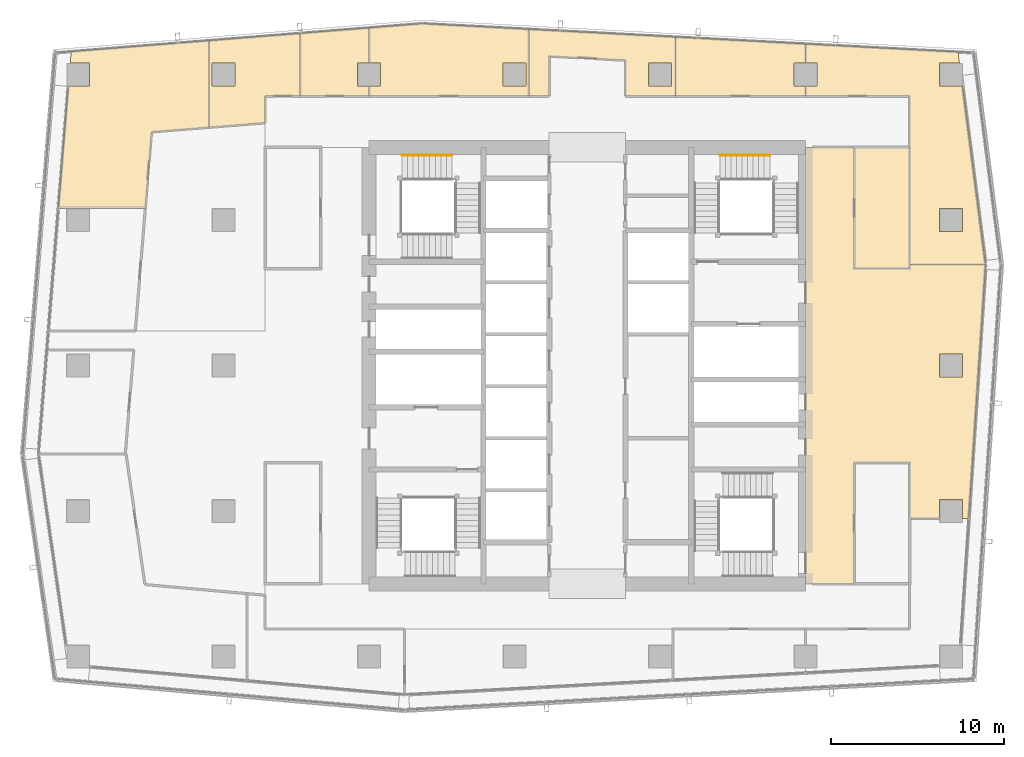
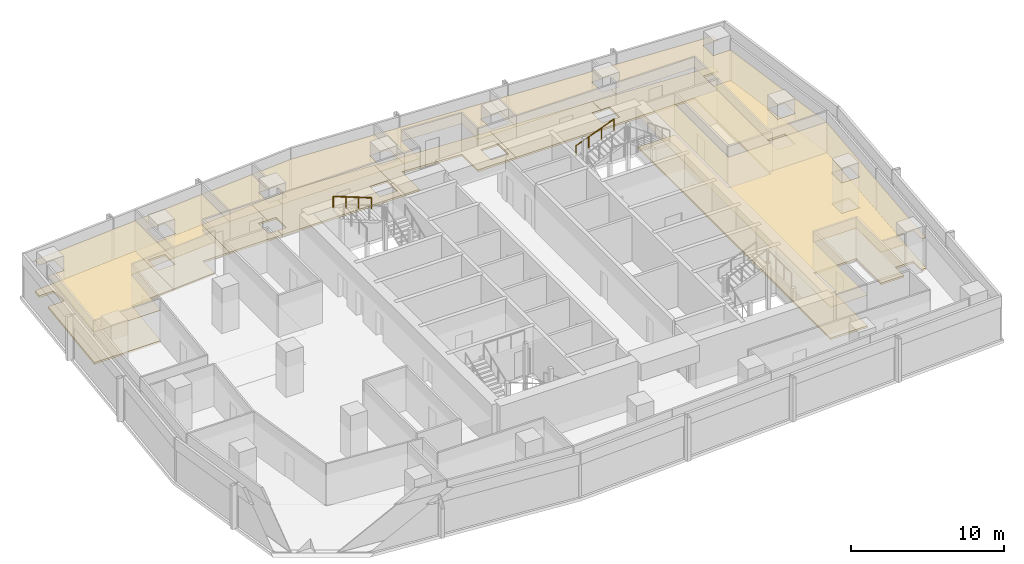
# One storey, part 29 of 29: 17 coverings, 2 railings.
"""IFC4 building model written with IfcOpenShell, lengths in metres."""

import ifcopenshell
import ifcopenshell.guid

model = None  # the IFC model being written
_history = None  # IfcOwnerHistory: only IFC2X3 demands one
_inside = {}  # id of a spatial element -> (the spatial element, [elements in it])
_under = {}  # id of a project, library or spatial element -> (it, [spatial elements below it])
_declared = {}  # id of a project -> (the project, [libraries it declares])
_typed = {}  # id of a type object -> (the type object, [elements of that type])
_made_of = {}  # id of a material, layer set ... -> (it, [elements and type objects made of it])


def new_model(schema):
    """Start an empty IFC model of exactly this schema.

    Asked for "IFC4X3", IfcOpenShell would pick the latest addendum, in which some entities
    have other attributes; the version numbers below select the first issue.
    IFC2X3 requires an IfcOwnerHistory on every rooted entity: one is made here for all.
    """
    global model, _history
    if schema == "IFC4X3":
        model = ifcopenshell.file(schema_version=(4, 3, 0, 0))
    else:
        model = ifcopenshell.file(schema=schema)
    _inside.clear()
    _under.clear()
    _declared.clear()
    _typed.clear()
    _made_of.clear()
    _history = None
    if model.schema == "IFC2X3":
        org = make("IfcOrganization", Name="unknown")
        user = make(
            "IfcPersonAndOrganization",
            ThePerson=make("IfcPerson", FamilyName="unknown"),
            TheOrganization=org,
        )
        app = make(
            "IfcApplication",
            ApplicationDeveloper=org,
            Version="unknown",
            ApplicationFullName="unknown",
            ApplicationIdentifier="unknown",
        )
        _history = make(
            "IfcOwnerHistory",
            OwningUser=user,
            OwningApplication=app,
            ChangeAction="ADDED",
            CreationDate=0,
        )
    return model


def make(cls, **values):
    """One entity of the class cls with the attributes given. An attribute that is None is left unset."""
    return model.create_entity(
        cls, **{name: value for name, value in values.items() if value is not None}
    )


def rooted(cls, **values):
    """An entity with a GlobalId (a new one), such as an element, a storey or a relation."""
    return make(cls, GlobalId=ifcopenshell.guid.new(), OwnerHistory=_history, **values)


def si_unit(unit_type, name, prefix=None):
    """IfcSIUnit, for example si_unit("LENGTHUNIT", "METRE", prefix="MILLI")."""
    return make("IfcSIUnit", UnitType=unit_type, Prefix=prefix, Name=name)


def assignment(units):
    """IfcUnitAssignment: the units of a project."""
    return None if units is None else make("IfcUnitAssignment", Units=units)


def point(xyz):
    """IfcCartesianPoint."""
    return None if xyz is None else make("IfcCartesianPoint", Coordinates=xyz)


def direction(xyz):
    """IfcDirection."""
    return None if xyz is None else make("IfcDirection", DirectionRatios=xyz)


def frame(location, z_axis=None, x_axis=None):
    """IfcAxis2Placement3D, a coordinate frame: its origin and axes. An axis left out is left unset."""
    return make(
        "IfcAxis2Placement3D",
        Location=point(location),
        Axis=direction(z_axis),
        RefDirection=direction(x_axis),
    )


def frame_2d(location, x_axis=None):
    """IfcAxis2Placement2D, a coordinate frame in the plane: its origin and x axis."""
    return make(
        "IfcAxis2Placement2D", Location=point(location), RefDirection=direction(x_axis)
    )


def origin():
    """The frame at (0, 0, 0) with its axes left unset."""
    return frame((0.0, 0.0, 0.0))


def origin_2d():
    """The frame at (0, 0) in the plane with its x axis left unset."""
    return frame_2d((0.0, 0.0))


def place(relative_to, where):
    """IfcLocalPlacement: puts the frame where relative to a parent placement (None: the world)."""
    return make(
        "IfcLocalPlacement", PlacementRelTo=relative_to, RelativePlacement=where
    )


def context(
    kind, dimensions, precision=None, world=None, true_north=None, identifier=None
):
    """IfcGeometricRepresentationContext, for example the 3D "Model" context."""
    return make(
        "IfcGeometricRepresentationContext",
        ContextIdentifier=identifier,
        ContextType=kind,
        CoordinateSpaceDimension=dimensions,
        Precision=precision,
        WorldCoordinateSystem=world,
        TrueNorth=true_north,
    )


def subcontext(parent, identifier, kind, view, scale=None):
    """IfcGeometricRepresentationSubContext, for example "Body" below "Model"."""
    return make(
        "IfcGeometricRepresentationSubContext",
        ContextIdentifier=identifier,
        ContextType=kind,
        ParentContext=parent,
        TargetScale=scale,
        TargetView=view,
    )


def project(units=None, contexts=None):
    """IfcProject with its units and contexts."""
    return rooted(
        "IfcProject",
        Name="project",
        RepresentationContexts=contexts,
        UnitsInContext=assignment(units),
    )


def spatial(cls, under=None, at=None, **own):
    """A site, building, storey or space (cls), placed at a placement, below another one or the project."""
    s = rooted(cls, ObjectPlacement=at, **own)
    if under is not None:
        _under.setdefault(under.id(), (under, []))[1].append(s)
    return s


def polyline(points):
    """IfcPolyline through the points."""
    return make("IfcPolyline", Points=[point(p) for p in points])


def profile(cls, at=None, kind="AREA", **sizes):
    """A parametric profile (cls). Its sizes go by their IFC names, for example OverallWidth=200.0."""
    return make(cls, ProfileType=kind, Position=at, **sizes)


def circle(**sizes):
    """IfcCircleProfileDef."""
    return profile("IfcCircleProfileDef", **sizes)


def outline(outer, holes=None, kind="AREA"):
    """IfcArbitraryClosedProfileDef: a profile drawn as a closed curve; with holes, ...WithVoids."""
    if holes is None:
        return make("IfcArbitraryClosedProfileDef", ProfileType=kind, OuterCurve=outer)
    return make(
        "IfcArbitraryProfileDefWithVoids",
        ProfileType=kind,
        OuterCurve=outer,
        InnerCurves=holes,
    )


def extrude(swept, where, along, depth):
    """IfcExtrudedAreaSolid: the profile swept, set in the frame where, extruded along a direction by depth."""
    return make(
        "IfcExtrudedAreaSolid",
        SweptArea=swept,
        Position=where,
        ExtrudedDirection=direction(along),
        Depth=depth,
    )


def shape(context_of_items, identifier, shape_type, items):
    """IfcShapeRepresentation: the items that make up one representation, for example the "Body"."""
    return make(
        "IfcShapeRepresentation",
        ContextOfItems=context_of_items,
        RepresentationIdentifier=identifier,
        RepresentationType=shape_type,
        Items=items,
    )


def material(Name=None, Category=None):
    """IfcMaterial."""
    return make("IfcMaterial", Name=Name, Category=Category)


def layer(
    of_material, thickness, ventilated=None, Name=None, Category=None, Priority=None
):
    """IfcMaterialLayer: one layer of a wall or slab, of a material (None: an air gap)."""
    return make(
        "IfcMaterialLayer",
        Material=of_material,
        LayerThickness=thickness,
        IsVentilated=ventilated,
        Name=Name,
        Category=Category,
        Priority=Priority,
    )


def layer_set(layers, Name=None):
    """IfcMaterialLayerSet."""
    return make("IfcMaterialLayerSet", MaterialLayers=layers, LayerSetName=Name)


def made_of(thing, what):
    """Note that an element or type object is made of a material, layer set ...; save() writes the relation."""
    if what is not None:
        _made_of.setdefault(what.id(), (what, []))[1].append(thing)
    return thing


def type_object(cls, material=None, **own):
    """A type object (cls), such as IfcWallType, which elements share."""
    return made_of(rooted(cls, **own), material)


def element(
    cls,
    number,
    at=None,
    inside=None,
    cuts=None,
    type_object=None,
    material=None,
    context=None,
    identifier="Body",
    shape_type=None,
    held_by="IfcProductDefinitionShape",
    body=None,
    shapes=None,
    **own,
):
    """One element of the class cls, such as IfcWall. Its Tag is "e" and its number.

    at: its placement. inside: the storey or other place that contains it. cuts: it is an
    opening in that element (IfcRelVoidsElement). A single representation is given by context,
    identifier, shape_type and body (its items); several are given by shapes. held_by: the class
    of the entity that holds the representations. save() writes the other relations.
    """
    e = rooted(cls, Tag="e%d" % number, ObjectPlacement=at, **own)
    if body is not None:
        shapes = [shape(context, identifier, shape_type, body)]
    if shapes is not None:
        e.Representation = make(held_by, Representations=shapes)
    if inside is not None:
        _inside.setdefault(inside.id(), (inside, []))[1].append(e)
    if cuts is not None:
        rooted(
            "IfcRelVoidsElement", RelatingBuildingElement=cuts, RelatedOpeningElement=e
        )
    if type_object is not None:
        _typed.setdefault(type_object.id(), (type_object, []))[1].append(e)
    return made_of(e, material)


def aggregate(whole, parts):
    """IfcRelAggregates: a whole, such as a stair, and the parts it consists of."""
    return rooted("IfcRelAggregates", RelatingObject=whole, RelatedObjects=parts)


def save(model, path):
    """Write the relations noted so far, then the file.

    IfcRelAggregates (storeys below a building ...), IfcRelContainedInSpatialStructure (elements
    in a storey), IfcRelDefinesByType, IfcRelAssociatesMaterial and IfcRelDeclares: one each for
    every whole, place, type object, material and project.
    """
    for whole, parts in _under.values():
        aggregate(whole, parts)
    for where, things in _inside.values():
        rooted(
            "IfcRelContainedInSpatialStructure",
            RelatedElements=things,
            RelatingStructure=where,
        )
    for kind, things in _typed.values():
        rooted("IfcRelDefinesByType", RelatedObjects=things, RelatingType=kind)
    for what, things in _made_of.values():
        rooted("IfcRelAssociatesMaterial", RelatedObjects=things, RelatingMaterial=what)
    for by, libraries in _declared.values():
        rooted("IfcRelDeclares", RelatingContext=by, RelatedDefinitions=libraries)
    model.write(path)


model = new_model("IFC4")

# Units and contexts
model_context = context("Model", 3, precision=1e-05, world=origin(), true_north=direction((0.0, 1.0)))
body_context = subcontext(model_context, "Body", "Model", "MODEL_VIEW")
ifc_project = project(units=[si_unit("LENGTHUNIT", "METRE"), si_unit("AREAUNIT", "SQUARE_METRE"), si_unit("VOLUMEUNIT", "CUBIC_METRE"), si_unit("PLANEANGLEUNIT", "RADIAN"), si_unit("MASSUNIT", "GRAM", prefix="KILO")], contexts=[model_context])

# Site, building, storey
site_placement = place(None, origin())
site = spatial("IfcSite", under=ifc_project, at=site_placement, CompositionType="ELEMENT")
building_placement = place(site_placement, origin())
building = spatial("IfcBuilding", under=site, at=building_placement, Name="Rekha Terrace Tower", CompositionType="ELEMENT")
storey_placement = place(building_placement, frame((0.0, 0.0, 257.60009765625)))
storey = spatial("IfcBuildingStorey", under=building, at=storey_placement, Name="L65", CompositionType="ELEMENT", Elevation=257.60009765625)

# Coverings
ifc_material_1 = material(Name="Mineral fibre tile in exposed grid", Category="finish")
ifc_layer_1 = layer(ifc_material_1, 0.02001953125)
ifc_layer_set_1 = layer_set([ifc_layer_1], Name="Mineral fibre tile in exposed grid")
covering_type_1 = type_object("IfcCoveringType", Name="CL1 600x1200 office grid ceiling", PredefinedType="CEILING", material=ifc_layer_set_1)
covering_1_placement = place(storey_placement, frame((0.0, 0.0, 2.579833984375)))
element("IfcCovering", 1, at=covering_1_placement, inside=storey, type_object=covering_type_1, Name="Ceiling L65-05", PredefinedType="CEILING", context=body_context, shape_type="SweptSolid", body=[
    extrude(outline(polyline([(59.465087890625, 25.864990234375), (59.465087890625, 24.787109375), (59.81494140625, 24.787109375), (60.300048828125, 32.095947265625), (60.300048828125, 32.096923828125), (60.787109375, 39.43896484375), (56.39990234375, 39.43896484375), (56.39990234375, 39.199951171875), (53.199951171875, 39.199951171875), (53.199951171875, 46.199951171875), (50.39990234375, 46.199951171875), (50.39990234375, 21.0), (53.199951171875, 21.0), (53.199951171875, 28.0), (56.39990234375, 28.0), (56.39990234375, 24.787109375), (58.135009765625, 24.787109375), (58.135009765625, 25.864990234375), (59.465087890625, 25.864990234375)]), holes=[polyline([(59.465087890625, 34.264892578125), (59.465087890625, 32.93505859375), (58.135009765625, 32.93505859375), (58.135009765625, 34.264892578125), (59.465087890625, 34.264892578125)])]), origin(), (0.0, 0.0, 1.0), 0.02001953125),
])
covering_2_placement = place(storey_placement, frame((0.0, 0.0, 2.579833984375)))
element("IfcCovering", 2, at=covering_2_placement, inside=storey, type_object=covering_type_1, Name="Ceiling L65-06", PredefinedType="CEILING", context=body_context, shape_type="SweptSolid", body=[
    extrude(outline(polyline([(51.06494140625, 49.735107421875), (50.403076171875, 49.735107421875), (50.403076171875, 49.14990234375), (56.39990234375, 49.14990234375), (56.39990234375, 39.43994140625), (60.781005859375, 39.43994140625), (59.4541015625, 49.735107421875), (58.135009765625, 49.735107421875), (58.135009765625, 51.06494140625), (59.282958984375, 51.06494140625), (59.199951171875, 51.7060546875), (50.403076171875, 52.174072265625), (50.403076171875, 51.06494140625), (51.06494140625, 51.06494140625), (51.06494140625, 49.735107421875)]), holes=[polyline([(59.465087890625, 41.3349609375), (58.135009765625, 41.3349609375), (58.135009765625, 42.6650390625), (59.465087890625, 42.6650390625), (59.465087890625, 41.3349609375)])]), origin(), (0.0, 0.0, 1.0), 0.02001953125),
])
covering_3_placement = place(storey_placement, frame((0.0, 0.0, 2.579833984375)))
element("IfcCovering", 3, at=covering_3_placement, inside=storey, type_object=covering_type_1, Name="Ceiling L65-07", PredefinedType="CEILING", context=body_context, shape_type="SweptSolid", body=[
    extrude(outline(polyline([(50.402099609375, 51.06494140625), (50.402099609375, 52.174072265625), (42.889892578125, 52.572998046875), (42.889892578125, 49.14990234375), (50.402099609375, 49.14990234375), (50.402099609375, 49.735107421875), (49.735107421875, 49.735107421875), (49.735107421875, 51.06494140625), (50.402099609375, 51.06494140625)])), origin(), (0.0, 0.0, 1.0), 0.02001953125),
])
covering_4_placement = place(storey_placement, frame((0.0, 0.0, 2.579833984375)))
element("IfcCovering", 4, at=covering_4_placement, inside=storey, type_object=covering_type_1, Name="Ceiling L65-08", PredefinedType="CEILING", context=body_context, shape_type="SweptSolid", body=[
    extrude(outline(polyline([(35.60009765625, 49.14990234375), (35.60009765625, 51.4580078125), (40.0, 51.22509765625), (40.0, 49.14990234375), (42.888916015625, 49.14990234375), (42.888916015625, 52.572998046875), (34.41796875, 53.02294921875), (34.41796875, 49.14990234375), (35.60009765625, 49.14990234375)]), holes=[polyline([(42.6650390625, 49.735107421875), (41.3349609375, 49.735107421875), (41.3349609375, 51.06494140625), (42.6650390625, 51.06494140625), (42.6650390625, 49.735107421875)])]), origin(), (0.0, 0.0, 1.0), 0.02001953125),
])
covering_5_placement = place(storey_placement, frame((0.0, 0.0, 2.579833984375)))
element("IfcCovering", 5, at=covering_5_placement, inside=storey, type_object=covering_type_1, Name="Ceiling L65-09", PredefinedType="CEILING", context=body_context, shape_type="SweptSolid", body=[
    extrude(outline(polyline([(34.4169921875, 53.02294921875), (28.27294921875, 53.35009765625), (25.2060546875, 53.10498046875), (25.2060546875, 51.06494140625), (25.864990234375, 51.06494140625), (25.864990234375, 49.735107421875), (25.2060546875, 49.735107421875), (25.2060546875, 49.14990234375), (34.4169921875, 49.14990234375), (34.4169921875, 53.02294921875)]), holes=[polyline([(34.264892578125, 49.735107421875), (32.93505859375, 49.735107421875), (32.93505859375, 51.06494140625), (34.264892578125, 51.06494140625), (34.264892578125, 49.735107421875)])]), origin(), (0.0, 0.0, 1.0), 0.02001953125),
])
covering_6_placement = place(storey_placement, frame((0.0, 0.0, 2.579833984375)))
element("IfcCovering", 6, at=covering_6_placement, inside=storey, type_object=covering_type_1, Name="Ceiling L65-10", PredefinedType="CEILING", context=body_context, shape_type="SweptSolid", body=[
    extrude(outline(polyline([(25.205078125, 51.06494140625), (25.205078125, 53.10498046875), (21.22705078125, 52.7880859375), (21.22705078125, 49.14990234375), (25.205078125, 49.14990234375), (25.205078125, 49.735107421875), (24.534912109375, 49.735107421875), (24.534912109375, 51.06494140625), (25.205078125, 51.06494140625)])), origin(), (0.0, 0.0, 1.0), 0.02001953125),
])
covering_7_placement = place(storey_placement, frame((0.0, 0.0, 2.579833984375)))
element("IfcCovering", 7, at=covering_7_placement, inside=storey, type_object=covering_type_1, Name="Ceiling L65-11", PredefinedType="CEILING", context=body_context, shape_type="SweptSolid", body=[
    extrude(outline(polyline([(15.950927734375, 52.366943359375), (15.950927734375, 47.35107421875), (19.199951171875, 47.610107421875), (19.199951171875, 49.14990234375), (21.22607421875, 49.14990234375), (21.22607421875, 52.7880859375), (15.950927734375, 52.366943359375)]), holes=[polyline([(17.465087890625, 49.735107421875), (16.135009765625, 49.735107421875), (16.135009765625, 51.06494140625), (17.465087890625, 51.06494140625), (17.465087890625, 49.735107421875)])]), origin(), (0.0, 0.0, 1.0), 0.02001953125),
])
covering_8_placement = place(storey_placement, frame((0.0, 0.0, 2.579833984375)))
element("IfcCovering", 8, at=covering_8_placement, inside=storey, type_object=covering_type_1, Name="Ceiling L65-12", PredefinedType="CEILING", context=body_context, shape_type="SweptSolid", body=[
    extrude(outline(polyline([(7.26611328125, 42.656982421875), (7.735107421875, 42.656982421875), (7.735107421875, 42.6650390625), (9.06494140625, 42.6650390625), (9.06494140625, 42.656982421875), (12.281982421875, 42.656982421875), (12.64306640625, 47.0869140625), (15.949951171875, 47.35107421875), (15.949951171875, 52.366943359375), (8.00390625, 51.73291015625), (7.949951171875, 51.06494140625), (9.06494140625, 51.06494140625), (9.06494140625, 49.735107421875), (7.842041015625, 49.735107421875), (7.26611328125, 42.656982421875)])), origin(), (0.0, 0.0, 1.0), 0.02001953125),
])
ifc_material_2 = material(Name="Fibre cement board", Category="finish")
ifc_layer_2 = layer(ifc_material_2, 0.014892578125)
ifc_layer_set_2 = layer_set([ifc_layer_2], Name="Fibre cement board")
covering_type_2 = type_object("IfcCoveringType", Name="CL2 moisture-resistant board ceiling", PredefinedType="CEILING", material=ifc_layer_set_2)
covering_9_placement = place(storey_placement, frame((0.0, 0.0, 2.5849609375)))
element("IfcCovering", 9, at=covering_9_placement, inside=storey, type_object=covering_type_2, Name="Ceiling L65-WCF", PredefinedType="CEILING", context=body_context, shape_type="SweptSolid", body=[
    extrude(outline(polyline([(56.39990234375, 46.199951171875), (53.199951171875, 46.199951171875), (53.199951171875, 39.199951171875), (56.39990234375, 39.199951171875), (56.39990234375, 46.199951171875)])), origin(), (0.0, 0.0, 1.0), 0.014892578125),
])

# Railings
ifc_material_3 = material(Name="Stainless steel tube", Category="steel")
railing_type = type_object("IfcRailingType", Name="HR1 900 stair handrail", PredefinedType="HANDRAIL", material=ifc_material_3)
railing_1_placement = place(storey_placement, frame((45.449951171875, 45.739990234375, 1.375)))
element("IfcRailing", 10, at=railing_1_placement, inside=storey, type_object=railing_type, Name="Handrail ST2 L65 flight 2", PredefinedType="HANDRAIL", context=body_context, shape_type="SweptSolid", body=[
    extrude(circle(Radius=0.02392578125, at=origin_2d()), frame((0.0, 0.0, 0.8759765625), z_axis=(0.931462784923, 0.0, 0.363836612098), x_axis=(0.0, 1.0, 0.0)), (0.0, 0.0, 1.0), 3.092041015625),
    extrude(circle(Radius=0.02099609375, at=origin_2d()), origin(), (0.0, 0.0, 1.0), 0.851806640625),
    extrude(circle(Radius=0.02099609375, at=origin_2d()), frame((0.9599609375, 0.0, 0.375)), (0.0, 0.0, 1.0), 0.851806640625),
    extrude(circle(Radius=0.02099609375, at=origin_2d()), frame((1.920166015625, 0.0, 0.75)), (0.0, 0.0, 1.0), 0.851806640625),
    extrude(circle(Radius=0.02099609375, at=origin_2d()), frame((2.880126953125, 0.0, 1.125)), (0.0, 0.0, 1.0), 0.851806640625),
])
railing_2_placement = place(storey_placement, frame((29.97998046875, 45.739990234375, 2.625)))
element("IfcRailing", 11, at=railing_2_placement, inside=storey, type_object=railing_type, Name="Handrail ST4 L65 flight 3", PredefinedType="HANDRAIL", context=body_context, shape_type="SweptSolid", body=[
    extrude(circle(Radius=0.02392578125, at=origin_2d()), frame((0.0, 0.0, 0.8759765625), z_axis=(-0.931452331594, 0.0, 0.363863372667), x_axis=(0.0, -1.0, 0.0)), (0.0, 0.0, 1.0), 3.091796875),
    extrude(circle(Radius=0.02099609375, at=origin_2d()), origin(), (0.0, 0.0, 1.0), 0.851806640625),
    extrude(circle(Radius=0.02099609375, at=origin_2d()), frame((-0.9599609375, 0.0, 0.375)), (0.0, 0.0, 1.0), 0.851806640625),
    extrude(circle(Radius=0.02099609375, at=origin_2d()), frame((-1.919921875, 0.0, 0.75)), (0.0, 0.0, 1.0), 0.851806640625),
    extrude(circle(Radius=0.02099609375, at=origin_2d()), frame((-2.8798828125, 0.0, 1.125)), (0.0, 0.0, 1.0), 0.851806640625),
])

# Coverings
ifc_material_4 = material(Name="Calcium sulphate panels on steel pedestals", Category="steel")
ifc_layer_3 = layer(ifc_material_4, 0.14990234375)
ifc_layer_set_3 = layer_set([ifc_layer_3], Name="Calcium sulphate panels on steel pedestals")
covering_type_3 = type_object("IfcCoveringType", Name="RF1 150 raised access floor", PredefinedType="FLOORING", material=ifc_layer_set_3)
covering_10_placement = place(storey_placement, origin())
element("IfcCovering", 12, at=covering_10_placement, inside=storey, type_object=covering_type_3, Name="Raised floor L65-05", PredefinedType="FLOORING", context=body_context, shape_type="SweptSolid", body=[
    extrude(outline(polyline([(59.465087890625, 25.864990234375), (59.465087890625, 24.787109375), (59.81494140625, 24.787109375), (60.300048828125, 32.095947265625), (60.300048828125, 32.096923828125), (60.787109375, 39.43896484375), (56.39990234375, 39.43896484375), (56.39990234375, 39.199951171875), (53.199951171875, 39.199951171875), (53.199951171875, 46.199951171875), (50.39990234375, 46.199951171875), (50.39990234375, 21.0), (53.199951171875, 21.0), (53.199951171875, 28.0), (56.39990234375, 28.0), (56.39990234375, 24.787109375), (58.135009765625, 24.787109375), (58.135009765625, 25.864990234375), (59.465087890625, 25.864990234375)]), holes=[polyline([(59.465087890625, 34.264892578125), (59.465087890625, 32.93505859375), (58.135009765625, 32.93505859375), (58.135009765625, 34.264892578125), (59.465087890625, 34.264892578125)])]), origin(), (0.0, 0.0, 1.0), 0.14990234375),
])
covering_11_placement = place(storey_placement, origin())
element("IfcCovering", 13, at=covering_11_placement, inside=storey, type_object=covering_type_3, Name="Raised floor L65-06", PredefinedType="FLOORING", context=body_context, shape_type="SweptSolid", body=[
    extrude(outline(polyline([(51.06494140625, 49.735107421875), (50.403076171875, 49.735107421875), (50.403076171875, 49.14990234375), (56.39990234375, 49.14990234375), (56.39990234375, 39.43994140625), (60.781005859375, 39.43994140625), (59.4541015625, 49.735107421875), (58.135009765625, 49.735107421875), (58.135009765625, 51.06494140625), (59.282958984375, 51.06494140625), (59.199951171875, 51.7060546875), (50.403076171875, 52.174072265625), (50.403076171875, 51.06494140625), (51.06494140625, 51.06494140625), (51.06494140625, 49.735107421875)]), holes=[polyline([(59.465087890625, 41.3349609375), (58.135009765625, 41.3349609375), (58.135009765625, 42.6650390625), (59.465087890625, 42.6650390625), (59.465087890625, 41.3349609375)])]), origin(), (0.0, 0.0, 1.0), 0.14990234375),
])
covering_12_placement = place(storey_placement, origin())
element("IfcCovering", 14, at=covering_12_placement, inside=storey, type_object=covering_type_3, Name="Raised floor L65-07", PredefinedType="FLOORING", context=body_context, shape_type="SweptSolid", body=[
    extrude(outline(polyline([(50.402099609375, 51.06494140625), (50.402099609375, 52.174072265625), (42.889892578125, 52.572998046875), (42.889892578125, 49.14990234375), (50.402099609375, 49.14990234375), (50.402099609375, 49.735107421875), (49.735107421875, 49.735107421875), (49.735107421875, 51.06494140625), (50.402099609375, 51.06494140625)])), origin(), (0.0, 0.0, 1.0), 0.14990234375),
])
covering_13_placement = place(storey_placement, origin())
element("IfcCovering", 15, at=covering_13_placement, inside=storey, type_object=covering_type_3, Name="Raised floor L65-08", PredefinedType="FLOORING", context=body_context, shape_type="SweptSolid", body=[
    extrude(outline(polyline([(35.60009765625, 49.14990234375), (35.60009765625, 51.4580078125), (40.0, 51.22509765625), (40.0, 49.14990234375), (42.888916015625, 49.14990234375), (42.888916015625, 52.572998046875), (34.41796875, 53.02294921875), (34.41796875, 49.14990234375), (35.60009765625, 49.14990234375)]), holes=[polyline([(42.6650390625, 49.735107421875), (41.3349609375, 49.735107421875), (41.3349609375, 51.06494140625), (42.6650390625, 51.06494140625), (42.6650390625, 49.735107421875)])]), origin(), (0.0, 0.0, 1.0), 0.14990234375),
])
covering_14_placement = place(storey_placement, origin())
element("IfcCovering", 16, at=covering_14_placement, inside=storey, type_object=covering_type_3, Name="Raised floor L65-09", PredefinedType="FLOORING", context=body_context, shape_type="SweptSolid", body=[
    extrude(outline(polyline([(34.4169921875, 53.02294921875), (28.27294921875, 53.35009765625), (25.2060546875, 53.10498046875), (25.2060546875, 51.06494140625), (25.864990234375, 51.06494140625), (25.864990234375, 49.735107421875), (25.2060546875, 49.735107421875), (25.2060546875, 49.14990234375), (34.4169921875, 49.14990234375), (34.4169921875, 53.02294921875)]), holes=[polyline([(34.264892578125, 49.735107421875), (32.93505859375, 49.735107421875), (32.93505859375, 51.06494140625), (34.264892578125, 51.06494140625), (34.264892578125, 49.735107421875)])]), origin(), (0.0, 0.0, 1.0), 0.14990234375),
])
covering_15_placement = place(storey_placement, origin())
element("IfcCovering", 17, at=covering_15_placement, inside=storey, type_object=covering_type_3, Name="Raised floor L65-10", PredefinedType="FLOORING", context=body_context, shape_type="SweptSolid", body=[
    extrude(outline(polyline([(25.205078125, 51.06494140625), (25.205078125, 53.10498046875), (21.22705078125, 52.7880859375), (21.22705078125, 49.14990234375), (25.205078125, 49.14990234375), (25.205078125, 49.735107421875), (24.534912109375, 49.735107421875), (24.534912109375, 51.06494140625), (25.205078125, 51.06494140625)])), origin(), (0.0, 0.0, 1.0), 0.14990234375),
])
covering_16_placement = place(storey_placement, origin())
element("IfcCovering", 18, at=covering_16_placement, inside=storey, type_object=covering_type_3, Name="Raised floor L65-11", PredefinedType="FLOORING", context=body_context, shape_type="SweptSolid", body=[
    extrude(outline(polyline([(15.950927734375, 52.366943359375), (15.950927734375, 47.35107421875), (19.199951171875, 47.610107421875), (19.199951171875, 49.14990234375), (21.22607421875, 49.14990234375), (21.22607421875, 52.7880859375), (15.950927734375, 52.366943359375)]), holes=[polyline([(17.465087890625, 49.735107421875), (16.135009765625, 49.735107421875), (16.135009765625, 51.06494140625), (17.465087890625, 51.06494140625), (17.465087890625, 49.735107421875)])]), origin(), (0.0, 0.0, 1.0), 0.14990234375),
])
covering_17_placement = place(storey_placement, origin())
element("IfcCovering", 19, at=covering_17_placement, inside=storey, type_object=covering_type_3, Name="Raised floor L65-12", PredefinedType="FLOORING", context=body_context, shape_type="SweptSolid", body=[
    extrude(outline(polyline([(7.26611328125, 42.656982421875), (7.735107421875, 42.656982421875), (7.735107421875, 42.6650390625), (9.06494140625, 42.6650390625), (9.06494140625, 42.656982421875), (12.281982421875, 42.656982421875), (12.64306640625, 47.0869140625), (15.949951171875, 47.35107421875), (15.949951171875, 52.366943359375), (8.00390625, 51.73291015625), (7.949951171875, 51.06494140625), (9.06494140625, 51.06494140625), (9.06494140625, 49.735107421875), (7.842041015625, 49.735107421875), (7.26611328125, 42.656982421875)])), origin(), (0.0, 0.0, 1.0), 0.14990234375),
])

save(model, "model.ifc")
